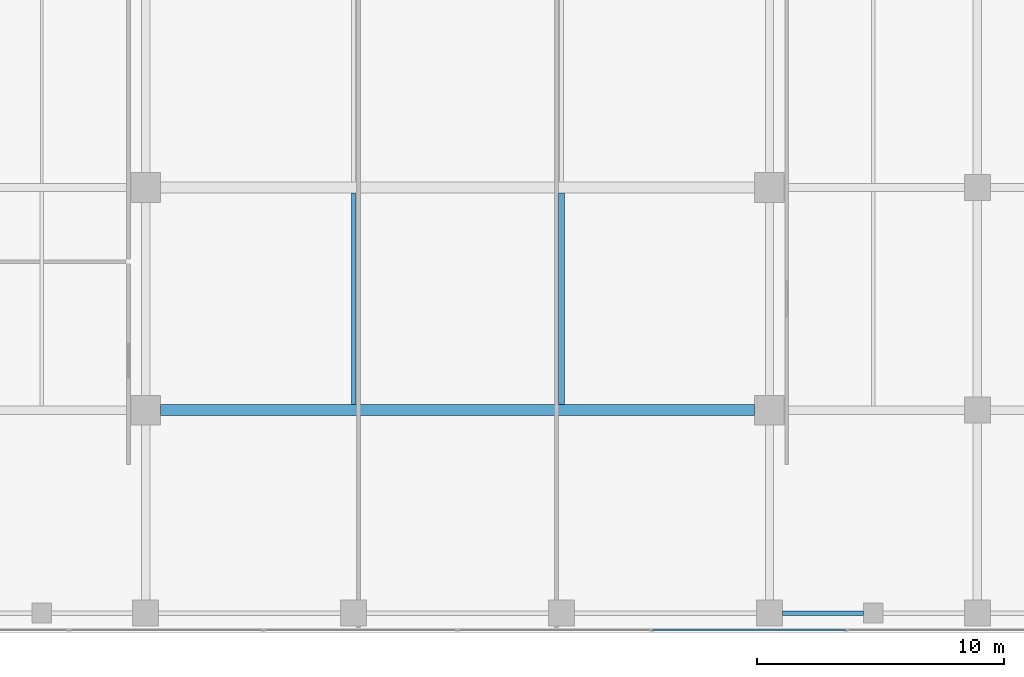
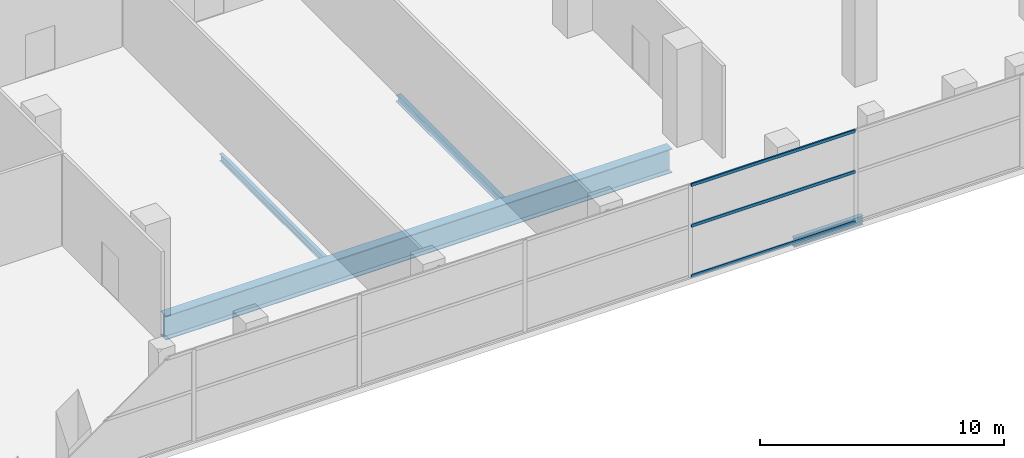
# One storey, part 14 of 39: 4 beams, 3 members, 1 element without a shape of its own.
"""IFC4 building model written with IfcOpenShell, lengths in metres."""

from ifc_helpers import new_model, si_unit, direction, frame, origin, origin_2d, place, context, subcontext, project, spatial, hollow_rectangle, i_section, extrude, material, layer, layer_set, material_profile, profile_set, type_object, element, aggregate, save


model = new_model("IFC4")

# Units and contexts
model_context = context("Model", 3, precision=1e-05, world=origin(), true_north=direction((0.0, 1.0)))
body_context = subcontext(model_context, "Body", "Model", "MODEL_VIEW")
ifc_project = project(units=[si_unit("LENGTHUNIT", "METRE"), si_unit("AREAUNIT", "SQUARE_METRE"), si_unit("VOLUMEUNIT", "CUBIC_METRE"), si_unit("PLANEANGLEUNIT", "RADIAN"), si_unit("MASSUNIT", "GRAM", prefix="KILO")], contexts=[model_context])

# Site, building, storey
site_placement = place(None, origin())
site = spatial("IfcSite", under=ifc_project, at=site_placement, CompositionType="ELEMENT")
building_placement = place(site_placement, origin())
building = spatial("IfcBuilding", under=site, at=building_placement, Name="Maruvema Waterfront Hotel and Observation Tower", CompositionType="ELEMENT")
storey_placement = place(building_placement, frame((0.0, 0.0, 16.449951171875)))
storey = spatial("IfcBuildingStorey", under=building, at=storey_placement, Name="L03", CompositionType="ELEMENT", Elevation=16.449951171875)

# Curtain wall, members
ifc_material_1 = material(Name="Anodised bronze aluminium and solar-control low-E IGU", Category="aluminium")
ifc_layer = layer(ifc_material_1, 0.159912109375, Name="Podium Waterfront Storefront Curtain Wall System CW-01")
ifc_layer_set = layer_set([ifc_layer], Name="Anodised bronze aluminium and solar-control low-E IGU")
curtain_wall_type = type_object("IfcCurtainWallType", Name="Podium Waterfront Storefront Curtain Wall System CW-01", PredefinedType="USERDEFINED", material=ifc_layer_set)
curtain_wall_placement = place(storey_placement, origin())
curtain_wall = element("IfcCurtainWall", 1, at=curtain_wall_placement, inside=storey, type_object=curtain_wall_type, Name="L03 Curtain Wall CW-L03-S", ObjectType="UNITISED CURTAIN WALL", PredefinedType="USERDEFINED")
ifc_material_2 = material(Name="Anodised architectural bronze aluminium", Category="aluminium")
ifc_material_profile_1 = material_profile(ifc_material_2, hollow_rectangle(XDim=0.070068359375, YDim=0.14990234375, WallThickness=0.00390625, at=origin_2d()), Name="ALU-T70x150")
ifc_profile_set_1 = profile_set([ifc_material_profile_1], Name="Anodised architectural bronze aluminium")
member_type = type_object("IfcMemberType", Name="Curtain Wall Horizontal Transom ALU-T70x150", PredefinedType="USERDEFINED", material=ifc_profile_set_1)
member_1_placement = place(storey_placement, frame((45.679931640625, 0.1201171875, 0.030029296875), z_axis=(1.0, 0.0, 0.0), x_axis=(0.0, 1.0, 0.0)))
member_1 = element("IfcMember", 2, at=member_1_placement, type_object=member_type, Name="CW-01 transom 6.1", ObjectType="TRANSOM", PredefinedType="USERDEFINED", context=body_context, shape_type="SweptSolid", body=[
    extrude(hollow_rectangle(XDim=0.070068359375, YDim=0.14990234375, WallThickness=0.00390625, at=origin_2d()), origin(), (0.0, 0.0, 1.0), 7.7900390625),
])
member_2_placement = place(storey_placement, frame((45.679931640625, 0.1201171875, 2.550048828125), z_axis=(1.0, 0.0, 0.0), x_axis=(0.0, 1.0, 0.0)))
member_2 = element("IfcMember", 3, at=member_2_placement, type_object=member_type, Name="CW-01 transom 6.2", ObjectType="TRANSOM", PredefinedType="USERDEFINED", context=body_context, shape_type="SweptSolid", body=[
    extrude(hollow_rectangle(XDim=0.070068359375, YDim=0.14990234375, WallThickness=0.00390625, at=origin_2d()), origin(), (0.0, 0.0, 1.0), 7.7900390625),
])
member_3_placement = place(storey_placement, frame((45.679931640625, 0.1201171875, 4.590087890625), z_axis=(1.0, 0.0, 0.0), x_axis=(0.0, 1.0, 0.0)))
member_3 = element("IfcMember", 4, at=member_3_placement, type_object=member_type, Name="CW-01 transom 6.3", ObjectType="TRANSOM", PredefinedType="USERDEFINED", context=body_context, shape_type="SweptSolid", body=[
    extrude(hollow_rectangle(XDim=0.070068359375, YDim=0.14990234375, WallThickness=0.00390625, at=origin_2d()), origin(), (0.0, 0.0, 1.0), 7.7900390625),
])
aggregate(curtain_wall, [member_1, member_2, member_3])

# Beams
ifc_material_3 = material(Name="Steel ASTM A572 Grade 50", Category="steel")
ifc_material_profile_2 = material_profile(ifc_material_3, i_section(OverallWidth=0.18994140625, OverallDepth=0.45703125, WebThickness=0.009033203125, FlangeThickness=0.014404296875, FilletRadius=0.014892578125, at=origin_2d()), Name="W460x74.0")
ifc_profile_set_2 = profile_set([ifc_material_profile_2], Name="Steel ASTM A572 Grade 50")
beam_type_1 = type_object("IfcBeamType", Name="Perimeter Spandrel Beam W460x74.0", PredefinedType="SPANDREL", material=ifc_profile_set_2)
beam_1_placement = place(storey_placement, frame((50.925048828125, 0.800048828125, -0.508544921875), z_axis=(1.0, 0.0, 0.0), x_axis=(0.0, 1.0, 0.0)))
element("IfcBeam", 5, at=beam_1_placement, inside=storey, type_object=beam_type_1, Name="L03 Floor Girder EW-07", PredefinedType="SPANDREL", context=body_context, shape_type="SweptSolid", body=[
    extrude(i_section(OverallWidth=0.18994140625, OverallDepth=0.45703125, WebThickness=0.009033203125, FlangeThickness=0.014404296875, FilletRadius=0.014892578125, at=origin_2d()), origin(), (0.0, 0.0, 1.0), 3.27490234375),
])
ifc_material_4 = material(Name="Steel ASTM A572 Grade 50", Category="steel")
ifc_material_profile_3 = material_profile(ifc_material_4, i_section(OverallWidth=0.25390625, OverallDepth=0.305908203125, WebThickness=0.0087890625, FlangeThickness=0.0146484375, FilletRadius=0.014892578125, at=origin_2d()), Name="W310x79.0")
ifc_profile_set_3 = profile_set([ifc_material_profile_3], Name="Steel ASTM A572 Grade 50")
beam_type_2 = type_object("IfcBeamType", Name="Secondary Floor Joist W310x79.0", PredefinedType="JOIST", material=ifc_profile_set_3)
beam_2_placement = place(storey_placement, frame((42.0, 9.22509765625, -0.432861328125), z_axis=(0.0, 1.0, 0.0), x_axis=(-1.0, 0.0, 0.0)))
element("IfcBeam", 6, at=beam_2_placement, inside=storey, type_object=beam_type_2, Name="L03 Secondary Floor Joist JS-10", PredefinedType="JOIST", context=body_context, shape_type="SweptSolid", body=[
    extrude(i_section(OverallWidth=0.25390625, OverallDepth=0.305908203125, WebThickness=0.0087890625, FlangeThickness=0.0146484375, FilletRadius=0.014892578125, at=origin_2d()), origin(), (0.0, 0.0, 1.0), 8.5498046875),
])
ifc_material_5 = material(Name="Steel ASTM A572 Grade 50", Category="steel")
ifc_material_profile_4 = material_profile(ifc_material_5, i_section(OverallWidth=0.1708984375, OverallDepth=0.35498046875, WebThickness=0.007080078125, FlangeThickness=0.01171875, FilletRadius=0.014892578125, at=origin_2d()), Name="W360x51.0")
ifc_profile_set_4 = profile_set([ifc_material_profile_4], Name="Steel ASTM A572 Grade 50")
beam_type_3 = type_object("IfcBeamType", Name="Secondary Floor Joist W360x51.0", PredefinedType="JOIST", material=ifc_profile_set_4)
beam_3_placement = place(storey_placement, frame((33.60009765625, 9.22509765625, -0.45751953125), z_axis=(0.0, 1.0, 0.0), x_axis=(-1.0, 0.0, 0.0)))
element("IfcBeam", 7, at=beam_3_placement, inside=storey, type_object=beam_type_3, Name="L03 Secondary Floor Joist JS-09", PredefinedType="JOIST", context=body_context, shape_type="SweptSolid", body=[
    extrude(i_section(OverallWidth=0.1708984375, OverallDepth=0.35498046875, WebThickness=0.007080078125, FlangeThickness=0.01171875, FilletRadius=0.014892578125, at=origin_2d()), origin(), (0.0, 0.0, 1.0), 8.5498046875),
])
ifc_material_6 = material(Name="Steel ABNT NBR 7007 AR 415 (ASTM A572 Grade 50)", Category="steel")
ifc_material_profile_5 = material_profile(ifc_material_6, i_section(OverallWidth=0.449951171875, OverallDepth=1.199951171875, WebThickness=0.01904296875, FlangeThickness=0.031982421875, at=origin_2d()), Name="VS1200x366")
ifc_profile_set_5 = profile_set([ifc_material_profile_5], Name="Steel ABNT NBR 7007 AR 415 (ASTM A572 Grade 50)")
beam_type_4 = type_object("IfcBeamType", Name="Upper Setback Transfer Girder VS1200x366", PredefinedType="USERDEFINED", material=ifc_profile_set_5)
beam_4_placement = place(storey_placement, frame((25.800048828125, 9.0, -0.8798828125), z_axis=(1.0, 0.0, 0.0), x_axis=(0.0, 1.0, 0.0)))
element("IfcBeam", 8, at=beam_4_placement, inside=storey, type_object=beam_type_4, Name="L03 Floor Girder EW-12", ObjectType="TRANSFER GIRDER", PredefinedType="USERDEFINED", context=body_context, shape_type="SweptSolid", body=[
    extrude(i_section(OverallWidth=0.449951171875, OverallDepth=1.199951171875, WebThickness=0.01904296875, FlangeThickness=0.031982421875, at=origin_2d()), origin(), (0.0, 0.0, 1.0), 24.0),
])

save(model, "model.ifc")
